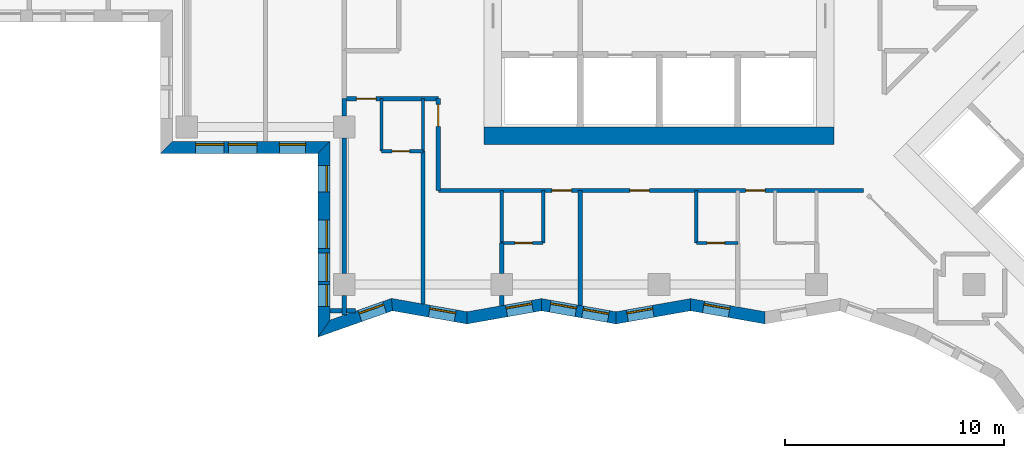
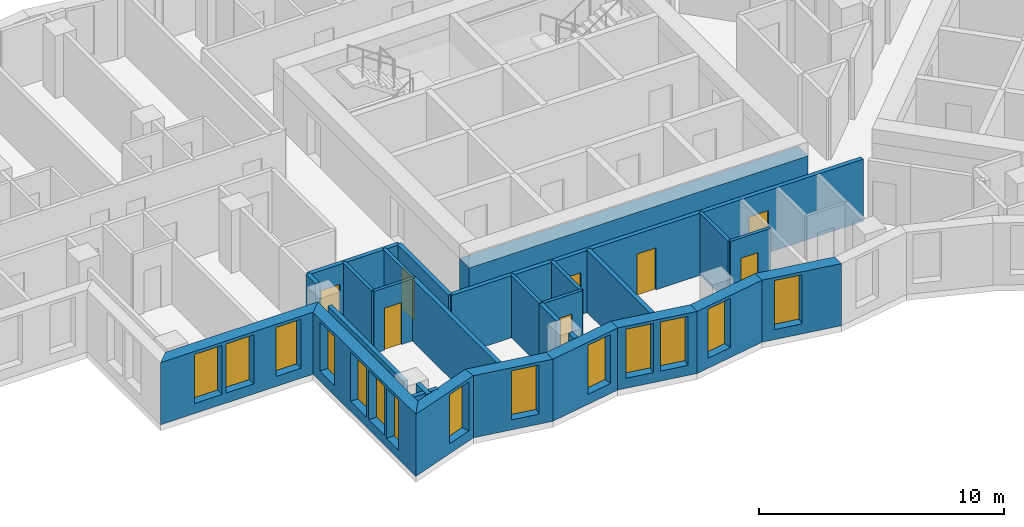
# One storey, part 2 of 13: 28 walls, 14 windows, 8 doors, 22 openings.
"""IFC4 building model written with IfcOpenShell, lengths in metres."""

from ifc_helpers import new_model, si_unit, direction, frame, frame_2d, origin, place, context, subcontext, project, spatial, polyline, rectangle, outline, extrude, material, layer, layer_set, type_object, element, fill, save


model = new_model("IFC4")

# Units and contexts
model_context = context("Model", 3, precision=1e-05, world=origin(), true_north=direction((0.0, 1.0)))
body_context = subcontext(model_context, "Body", "Model", "MODEL_VIEW")
ifc_project = project(units=[si_unit("LENGTHUNIT", "METRE"), si_unit("AREAUNIT", "SQUARE_METRE"), si_unit("VOLUMEUNIT", "CUBIC_METRE"), si_unit("PLANEANGLEUNIT", "RADIAN"), si_unit("MASSUNIT", "GRAM", prefix="KILO")], contexts=[model_context])

# Site, building, storey
site_placement = place(None, origin())
site = spatial("IfcSite", under=ifc_project, at=site_placement, CompositionType="ELEMENT")
building_placement = place(site_placement, origin())
building = spatial("IfcBuilding", under=site, at=building_placement, Name="Windrow Commons", CompositionType="ELEMENT")
storey_placement = place(building_placement, frame((0.0, 0.0, 115.2)))
storey = spatial("IfcBuildingStorey", under=building, at=storey_placement, Name="L31", CompositionType="ELEMENT", Elevation=115.2)

# Wall, openings, windows
ifc_material_1 = material(Name="Brick masonry, red clay brick", Category="masonry")
ifc_layer_1 = layer(ifc_material_1, 0.55)
ifc_layer_set_1 = layer_set([ifc_layer_1], Name="Brick facade wall 550")
wall_type_1 = type_object("IfcWallType", Name="Brick facade wall 550", PredefinedType="SOLIDWALL", material=ifc_layer_set_1)
wall_1_placement = place(storey_placement, frame((42.275, 49.475, 0.0), z_axis=(0.0, 0.0, 1.0), x_axis=(1.0, 0.0, 0.0)))
wall_1 = element("IfcWall", 1, at=wall_1_placement, inside=storey, type_object=wall_type_1, Name="Brick facade wall L31 42", PredefinedType="SOLIDWALL", context=body_context, shape_type="SweptSolid", body=[
    extrude(outline(polyline([(-0.275, -0.275), (6.925, -0.275), (7.475, 0.275), (0.275, 0.275), (-0.275, -0.275)])), origin(), (0.0, 0.0, 1.0), 3.1),
])
opening_1_placement = place(wall_1_placement, frame((1.325, 0.0, 0.5)))
opening_1 = element("IfcOpeningElement", 2, at=opening_1_placement, cuts=wall_1, Name="Opening W1P", PredefinedType="OPENING", context=body_context, shape_type="SweptSolid", body=[
    extrude(rectangle(XDim=1.3, YDim=2.45, at=frame_2d((0.65, 1.225))), frame((0.0, 0.285, 0.0), z_axis=(0.0, -1.0, 0.0), x_axis=(1.0, 0.0, 0.0)), (0.0, 0.0, 1.0), 0.57),
])
opening_2_placement = place(wall_1_placement, frame((2.825, 0.0, 0.5)))
opening_2 = element("IfcOpeningElement", 3, at=opening_2_placement, cuts=wall_1, Name="Opening W1P", PredefinedType="OPENING", context=body_context, shape_type="SweptSolid", body=[
    extrude(rectangle(XDim=1.3, YDim=2.45, at=frame_2d((0.65, 1.225))), frame((0.0, 0.285, 0.0), z_axis=(0.0, -1.0, 0.0), x_axis=(1.0, 0.0, 0.0)), (0.0, 0.0, 1.0), 0.57),
])
opening_3_placement = place(wall_1_placement, frame((5.1625, 0.0, 0.5)))
opening_3 = element("IfcOpeningElement", 4, at=opening_3_placement, cuts=wall_1, Name="Opening W7D", PredefinedType="OPENING", context=body_context, shape_type="SweptSolid", body=[
    extrude(rectangle(XDim=1.2, YDim=2.45, at=frame_2d((0.6, 1.225))), frame((0.0, 0.285, 0.0), z_axis=(0.0, -1.0, 0.0), x_axis=(1.0, 0.0, 0.0)), (0.0, 0.0, 1.0), 0.57),
])
ifc_material_2 = material(Name="Clear float glass in anodised aluminium frame", Category="aluminium")
window_type_1 = type_object("IfcWindowType", Name="Window W1P pair 1300x2450", PartitioningType="SINGLE_PANEL", PredefinedType="WINDOW", material=ifc_material_2)
window_1_placement = place(opening_1_placement, origin())
window_1 = element("IfcWindow", 5, at=window_1_placement, inside=storey, type_object=window_type_1, Name="Window L31 42.1A", OverallHeight=2.45, OverallWidth=1.3, PartitioningType="SINGLE_PANEL", PredefinedType="WINDOW", context=body_context, shape_type="SweptSolid", body=[
    extrude(rectangle(XDim=1.3, YDim=2.45, at=frame_2d((0.65, 1.225))), frame((0.0, 0.155, 0.0), z_axis=(0.0, -1.0, 0.0), x_axis=(1.0, 0.0, 0.0)), (0.0, 0.0, 1.0), 0.06),
])
fill(opening_1, window_1)
window_2_placement = place(opening_2_placement, origin())
window_2 = element("IfcWindow", 6, at=window_2_placement, inside=storey, type_object=window_type_1, Name="Window L31 42.1B", OverallHeight=2.45, OverallWidth=1.3, PartitioningType="SINGLE_PANEL", PredefinedType="WINDOW", context=body_context, shape_type="SweptSolid", body=[
    extrude(rectangle(XDim=1.3, YDim=2.45, at=frame_2d((0.65, 1.225))), frame((0.0, 0.155, 0.0), z_axis=(0.0, -1.0, 0.0), x_axis=(1.0, 0.0, 0.0)), (0.0, 0.0, 1.0), 0.06),
])
fill(opening_2, window_2)
ifc_material_3 = material(Name="Clear float glass in anodised aluminium frame", Category="aluminium")
window_type_2 = type_object("IfcWindowType", Name="Window W7 notch 1200x2450", PartitioningType="SINGLE_PANEL", PredefinedType="WINDOW", material=ifc_material_3)
window_3_placement = place(opening_3_placement, origin())
window_3 = element("IfcWindow", 7, at=window_3_placement, inside=storey, type_object=window_type_2, Name="Window L31 42.2", OverallHeight=2.45, OverallWidth=1.2, PartitioningType="SINGLE_PANEL", PredefinedType="WINDOW", context=body_context, shape_type="SweptSolid", body=[
    extrude(rectangle(XDim=1.2, YDim=2.45, at=frame_2d((0.6, 1.225))), frame((0.0, 0.155, 0.0), z_axis=(0.0, -1.0, 0.0), x_axis=(1.0, 0.0, 0.0)), (0.0, 0.0, 1.0), 0.06),
])
fill(opening_3, window_3)

wall_2_placement = place(storey_placement, frame((49.475, 49.475, 0.0), z_axis=(0.0, 0.0, 1.0), x_axis=(0.0, -1.0, 0.0)))
wall_2 = element("IfcWall", 8, at=wall_2_placement, inside=storey, type_object=wall_type_1, Name="Brick facade wall L31 43", PredefinedType="SOLIDWALL", context=body_context, shape_type="SweptSolid", body=[
    extrude(outline(polyline([(0.275, -0.275), (8.678, -0.275), (7.9005, 0.275), (-0.275, 0.275), (0.275, -0.275)])), origin(), (0.0, 0.0, 1.0), 3.1),
])
opening_4_placement = place(wall_2_placement, frame((3.325, 0.0, 0.5)))
opening_4 = element("IfcOpeningElement", 9, at=opening_4_placement, cuts=wall_2, Name="Opening W1P", PredefinedType="OPENING", context=body_context, shape_type="SweptSolid", body=[
    extrude(rectangle(XDim=1.3, YDim=2.45, at=frame_2d((0.65, 1.225))), frame((0.0, 0.285, 0.0), z_axis=(0.0, -1.0, 0.0), x_axis=(1.0, 0.0, 0.0)), (0.0, 0.0, 1.0), 0.57),
])
opening_5_placement = place(wall_2_placement, frame((4.825, 0.0, 0.5)))
opening_5 = element("IfcOpeningElement", 10, at=opening_5_placement, cuts=wall_2, Name="Opening W1P", PredefinedType="OPENING", context=body_context, shape_type="SweptSolid", body=[
    extrude(rectangle(XDim=1.3, YDim=2.45, at=frame_2d((0.65, 1.225))), frame((0.0, 0.285, 0.0), z_axis=(0.0, -1.0, 0.0), x_axis=(1.0, 0.0, 0.0)), (0.0, 0.0, 1.0), 0.57),
])
opening_6_placement = place(wall_2_placement, frame((0.8375, 0.0, 0.5)))
opening_6 = element("IfcOpeningElement", 11, at=opening_6_placement, cuts=wall_2, Name="Opening W7D", PredefinedType="OPENING", context=body_context, shape_type="SweptSolid", body=[
    extrude(rectangle(XDim=1.2, YDim=2.45, at=frame_2d((0.6, 1.225))), frame((0.0, 0.285, 0.0), z_axis=(0.0, -1.0, 0.0), x_axis=(1.0, 0.0, 0.0)), (0.0, 0.0, 1.0), 0.57),
])
opening_7_placement = place(wall_2_placement, frame((6.275, 0.0, 0.45)))
opening_7 = element("IfcOpeningElement", 12, at=opening_7_placement, cuts=wall_2, Name="Opening W1S", PredefinedType="OPENING", context=body_context, shape_type="SweptSolid", body=[
    extrude(rectangle(XDim=1.0, YDim=2.5, at=frame_2d((0.5, 1.25))), frame((0.0, 0.285, 0.0), z_axis=(0.0, -1.0, 0.0), x_axis=(1.0, 0.0, 0.0)), (0.0, 0.0, 1.0), 0.57),
])
window_4_placement = place(opening_4_placement, origin())
window_4 = element("IfcWindow", 13, at=window_4_placement, inside=storey, type_object=window_type_1, Name="Window L31 43.1A", OverallHeight=2.45, OverallWidth=1.3, PartitioningType="SINGLE_PANEL", PredefinedType="WINDOW", context=body_context, shape_type="SweptSolid", body=[
    extrude(rectangle(XDim=1.3, YDim=2.45, at=frame_2d((0.65, 1.225))), frame((0.0, 0.155, 0.0), z_axis=(0.0, -1.0, 0.0), x_axis=(1.0, 0.0, 0.0)), (0.0, 0.0, 1.0), 0.06),
])
fill(opening_4, window_4)
window_5_placement = place(opening_5_placement, origin())
window_5 = element("IfcWindow", 14, at=window_5_placement, inside=storey, type_object=window_type_1, Name="Window L31 43.1B", OverallHeight=2.45, OverallWidth=1.3, PartitioningType="SINGLE_PANEL", PredefinedType="WINDOW", context=body_context, shape_type="SweptSolid", body=[
    extrude(rectangle(XDim=1.3, YDim=2.45, at=frame_2d((0.65, 1.225))), frame((0.0, 0.155, 0.0), z_axis=(0.0, -1.0, 0.0), x_axis=(1.0, 0.0, 0.0)), (0.0, 0.0, 1.0), 0.06),
])
fill(opening_5, window_5)
ifc_material_4 = material(Name="Clear float glass in anodised aluminium frame", Category="aluminium")
window_type_3 = type_object("IfcWindowType", Name="Window W1S slit 1000x2500", PartitioningType="SINGLE_PANEL", PredefinedType="WINDOW", material=ifc_material_4)
window_6_placement = place(opening_7_placement, origin())
window_6 = element("IfcWindow", 15, at=window_6_placement, inside=storey, type_object=window_type_3, Name="Window L31 43.3A", OverallHeight=2.5, OverallWidth=1.0, PartitioningType="SINGLE_PANEL", PredefinedType="WINDOW", context=body_context, shape_type="SweptSolid", body=[
    extrude(rectangle(XDim=1.0, YDim=2.5, at=frame_2d((0.5, 1.25))), frame((0.0, 0.155, 0.0), z_axis=(0.0, -1.0, 0.0), x_axis=(1.0, 0.0, 0.0)), (0.0, 0.0, 1.0), 0.06),
])
fill(opening_7, window_6)
window_7_placement = place(opening_6_placement, origin())
window_7 = element("IfcWindow", 16, at=window_7_placement, inside=storey, type_object=window_type_2, Name="Window L31 43.2", OverallHeight=2.45, OverallWidth=1.2, PartitioningType="SINGLE_PANEL", PredefinedType="WINDOW", context=body_context, shape_type="SweptSolid", body=[
    extrude(rectangle(XDim=1.2, YDim=2.45, at=frame_2d((0.6, 1.225))), frame((0.0, 0.155, 0.0), z_axis=(0.0, -1.0, 0.0), x_axis=(1.0, 0.0, 0.0)), (0.0, 0.0, 1.0), 0.06),
])
fill(opening_6, window_7)

# Wall, opening, window
wall_3_placement = place(storey_placement, frame((49.475, 41.1857, 0.0), z_axis=(0.0, 0.0, 1.0), x_axis=(0.9429483298, 0.3329391044, 0.0)))
wall_3 = element("IfcWall", 17, at=wall_3_placement, inside=storey, type_object=wall_type_1, Name="Brick facade wall L31 44", PredefinedType="SOLIDWALL", context=body_context, shape_type="SweptSolid", body=[
    extrude(outline(polyline([(-0.3887, -0.275), (3.2246, -0.275), (3.3693, 0.275), (0.3887, 0.275), (-0.3887, -0.275)])), origin(), (0.0, 0.0, 1.0), 3.1),
])
opening_8_placement = place(wall_3_placement, frame((1.739, 0.0, 0.5)))
opening_8 = element("IfcOpeningElement", 18, at=opening_8_placement, cuts=wall_3, Name="Opening W7D", PredefinedType="OPENING", context=body_context, shape_type="SweptSolid", body=[
    extrude(rectangle(XDim=1.2, YDim=2.45, at=frame_2d((0.6, 1.225))), frame((0.0, 0.285, 0.0), z_axis=(0.0, -1.0, 0.0), x_axis=(1.0, 0.0, 0.0)), (0.0, 0.0, 1.0), 0.57),
])
window_8_placement = place(opening_8_placement, origin())
window_8 = element("IfcWindow", 19, at=window_8_placement, inside=storey, type_object=window_type_2, Name="Window L31 44.1", OverallHeight=2.45, OverallWidth=1.2, PartitioningType="SINGLE_PANEL", PredefinedType="WINDOW", context=body_context, shape_type="SweptSolid", body=[
    extrude(rectangle(XDim=1.2, YDim=2.45, at=frame_2d((0.6, 1.225))), frame((0.0, 0.155, 0.0), z_axis=(0.0, -1.0, 0.0), x_axis=(1.0, 0.0, 0.0)), (0.0, 0.0, 1.0), 0.06),
])
fill(opening_8, window_8)

wall_4_placement = place(storey_placement, frame((52.5839, 42.2834, 0.0), z_axis=(0.0, 0.0, 1.0), x_axis=(0.9846990638, -0.1742634606, 0.0)))
wall_4 = element("IfcWall", 20, at=wall_4_placement, inside=storey, type_object=wall_type_1, Name="Brick facade wall L31 45", PredefinedType="SOLIDWALL", context=body_context, shape_type="SweptSolid", body=[
    extrude(outline(polyline([(0.0724, -0.275), (3.5325, -0.275), (3.4352, 0.275), (-0.0724, 0.275), (0.0724, -0.275)])), origin(), (0.0, 0.0, 1.0), 3.1),
])
opening_9_placement = place(wall_4_placement, frame((1.7367, 0.0, 0.5)))
opening_9 = element("IfcOpeningElement", 21, at=opening_9_placement, cuts=wall_4, Name="Opening W7D", PredefinedType="OPENING", context=body_context, shape_type="SweptSolid", body=[
    extrude(rectangle(XDim=1.2, YDim=2.45, at=frame_2d((0.6, 1.225))), frame((0.0, 0.285, 0.0), z_axis=(0.0, -1.0, 0.0), x_axis=(1.0, 0.0, 0.0)), (0.0, 0.0, 1.0), 0.57),
])
window_9_placement = place(opening_9_placement, origin())
window_9 = element("IfcWindow", 22, at=window_9_placement, inside=storey, type_object=window_type_2, Name="Window L31 45.1", OverallHeight=2.45, OverallWidth=1.2, PartitioningType="SINGLE_PANEL", PredefinedType="WINDOW", context=body_context, shape_type="SweptSolid", body=[
    extrude(rectangle(XDim=1.2, YDim=2.45, at=frame_2d((0.6, 1.225))), frame((0.0, 0.155, 0.0), z_axis=(0.0, -1.0, 0.0), x_axis=(1.0, 0.0, 0.0)), (0.0, 0.0, 1.0), 0.06),
])
fill(opening_9, window_9)

wall_5_placement = place(storey_placement, frame((56.0144, 41.6763, 0.0), z_axis=(0.0, 0.0, 1.0), x_axis=(0.9846979018, 0.1742700266, 0.0)))
wall_5 = element("IfcWall", 23, at=wall_5_placement, inside=storey, type_object=wall_type_1, Name="Brick facade wall L31 46", PredefinedType="SOLIDWALL", context=body_context, shape_type="SweptSolid", body=[
    extrude(outline(polyline([(-0.0487, -0.275), (3.4115, -0.275), (3.5088, 0.275), (0.0487, 0.275), (-0.0487, -0.275)])), origin(), (0.0, 0.0, 1.0), 3.1),
])
opening_10_placement = place(wall_5_placement, frame((1.8352, 0.0, 0.5)))
opening_10 = element("IfcOpeningElement", 24, at=opening_10_placement, cuts=wall_5, Name="Opening W7D", PredefinedType="OPENING", context=body_context, shape_type="SweptSolid", body=[
    extrude(rectangle(XDim=1.2, YDim=2.45, at=frame_2d((0.6, 1.225))), frame((0.0, 0.285, 0.0), z_axis=(0.0, -1.0, 0.0), x_axis=(1.0, 0.0, 0.0)), (0.0, 0.0, 1.0), 0.57),
])
window_10_placement = place(opening_10_placement, origin())
window_10 = element("IfcWindow", 25, at=window_10_placement, inside=storey, type_object=window_type_2, Name="Window L31 46.1", OverallHeight=2.45, OverallWidth=1.2, PartitioningType="SINGLE_PANEL", PredefinedType="WINDOW", context=body_context, shape_type="SweptSolid", body=[
    extrude(rectangle(XDim=1.2, YDim=2.45, at=frame_2d((0.6, 1.225))), frame((0.0, 0.155, 0.0), z_axis=(0.0, -1.0, 0.0), x_axis=(1.0, 0.0, 0.0)), (0.0, 0.0, 1.0), 0.06),
])
fill(opening_10, window_10)

# Wall, openings, windows
wall_6_placement = place(storey_placement, frame((59.4216, 42.2793, 0.0), z_axis=(0.0, 0.0, 1.0), x_axis=(0.9846979018, -0.1742700266, 0.0)))
wall_6 = element("IfcWall", 26, at=wall_6_placement, inside=storey, type_object=wall_type_1, Name="Brick facade wall L31 47", PredefinedType="SOLIDWALL", context=body_context, shape_type="SweptSolid", body=[
    extrude(outline(polyline([(0.0487, -0.275), (3.5088, -0.275), (3.4115, 0.275), (-0.0487, 0.275), (0.0487, -0.275)])), origin(), (0.0, 0.0, 1.0), 3.1),
])
opening_11_placement = place(wall_6_placement, frame((0.403, 0.0, 0.5)))
opening_11 = element("IfcOpeningElement", 27, at=opening_11_placement, cuts=wall_6, Name="Opening W7D", PredefinedType="OPENING", context=body_context, shape_type="SweptSolid", body=[
    extrude(rectangle(XDim=1.2, YDim=2.45, at=frame_2d((0.6, 1.225))), frame((0.0, 0.285, 0.0), z_axis=(0.0, -1.0, 0.0), x_axis=(1.0, 0.0, 0.0)), (0.0, 0.0, 1.0), 0.57),
])
opening_12_placement = place(wall_6_placement, frame((1.9088, 0.0, 0.5)))
opening_12 = element("IfcOpeningElement", 28, at=opening_12_placement, cuts=wall_6, Name="Opening W7D", PredefinedType="OPENING", context=body_context, shape_type="SweptSolid", body=[
    extrude(rectangle(XDim=1.2, YDim=2.45, at=frame_2d((0.6, 1.225))), frame((0.0, 0.285, 0.0), z_axis=(0.0, -1.0, 0.0), x_axis=(1.0, 0.0, 0.0)), (0.0, 0.0, 1.0), 0.57),
])
window_11_placement = place(opening_11_placement, origin())
window_11 = element("IfcWindow", 29, at=window_11_placement, inside=storey, type_object=window_type_2, Name="Window L31 47.1", OverallHeight=2.45, OverallWidth=1.2, PartitioningType="SINGLE_PANEL", PredefinedType="WINDOW", context=body_context, shape_type="SweptSolid", body=[
    extrude(rectangle(XDim=1.2, YDim=2.45, at=frame_2d((0.6, 1.225))), frame((0.0, 0.155, 0.0), z_axis=(0.0, -1.0, 0.0), x_axis=(1.0, 0.0, 0.0)), (0.0, 0.0, 1.0), 0.06),
])
fill(opening_11, window_11)
window_12_placement = place(opening_12_placement, origin())
window_12 = element("IfcWindow", 30, at=window_12_placement, inside=storey, type_object=window_type_2, Name="Window L31 47.2", OverallHeight=2.45, OverallWidth=1.2, PartitioningType="SINGLE_PANEL", PredefinedType="WINDOW", context=body_context, shape_type="SweptSolid", body=[
    extrude(rectangle(XDim=1.2, YDim=2.45, at=frame_2d((0.6, 1.225))), frame((0.0, 0.155, 0.0), z_axis=(0.0, -1.0, 0.0), x_axis=(1.0, 0.0, 0.0)), (0.0, 0.0, 1.0), 0.06),
])
fill(opening_12, window_12)

# Wall, opening, window
wall_7_placement = place(storey_placement, frame((62.8288, 41.6763, 0.0), z_axis=(0.0, 0.0, 1.0), x_axis=(0.9846979018, 0.1742700266, 0.0)))
wall_7 = element("IfcWall", 31, at=wall_7_placement, inside=storey, type_object=wall_type_1, Name="Brick facade wall L31 48", PredefinedType="SOLIDWALL", context=body_context, shape_type="SweptSolid", body=[
    extrude(outline(polyline([(-0.0487, -0.275), (3.4115, -0.275), (3.5088, 0.275), (0.0487, 0.275), (-0.0487, -0.275)])), origin(), (0.0, 0.0, 1.0), 3.1),
])
opening_13_placement = place(wall_7_placement, frame((0.5252, 0.0, 0.5)))
opening_13 = element("IfcOpeningElement", 32, at=opening_13_placement, cuts=wall_7, Name="Opening W7D", PredefinedType="OPENING", context=body_context, shape_type="SweptSolid", body=[
    extrude(rectangle(XDim=1.2, YDim=2.45, at=frame_2d((0.6, 1.225))), frame((0.0, 0.285, 0.0), z_axis=(0.0, -1.0, 0.0), x_axis=(1.0, 0.0, 0.0)), (0.0, 0.0, 1.0), 0.57),
])
window_13_placement = place(opening_13_placement, origin())
window_13 = element("IfcWindow", 33, at=window_13_placement, inside=storey, type_object=window_type_2, Name="Window L31 48.1", OverallHeight=2.45, OverallWidth=1.2, PartitioningType="SINGLE_PANEL", PredefinedType="WINDOW", context=body_context, shape_type="SweptSolid", body=[
    extrude(rectangle(XDim=1.2, YDim=2.45, at=frame_2d((0.6, 1.225))), frame((0.0, 0.155, 0.0), z_axis=(0.0, -1.0, 0.0), x_axis=(1.0, 0.0, 0.0)), (0.0, 0.0, 1.0), 0.06),
])
fill(opening_13, window_13)

wall_8_placement = place(storey_placement, frame((66.236, 42.2793, 0.0), z_axis=(0.0, 0.0, 1.0), x_axis=(0.9846979018, -0.1742700266, 0.0)))
wall_8 = element("IfcWall", 34, at=wall_8_placement, inside=storey, type_object=wall_type_1, Name="Brick facade wall L31 49", PredefinedType="SOLIDWALL", context=body_context, shape_type="SweptSolid", body=[
    extrude(outline(polyline([(0.0487, -0.275), (3.5088, -0.275), (3.4115, 0.275), (-0.0487, 0.275), (0.0487, -0.275)])), origin(), (0.0, 0.0, 1.0), 3.1),
])
opening_14_placement = place(wall_8_placement, frame((0.5988, 0.0, 0.5)))
opening_14 = element("IfcOpeningElement", 35, at=opening_14_placement, cuts=wall_8, Name="Opening W7D", PredefinedType="OPENING", context=body_context, shape_type="SweptSolid", body=[
    extrude(rectangle(XDim=1.2, YDim=2.45, at=frame_2d((0.6, 1.225))), frame((0.0, 0.285, 0.0), z_axis=(0.0, -1.0, 0.0), x_axis=(1.0, 0.0, 0.0)), (0.0, 0.0, 1.0), 0.57),
])
window_14_placement = place(opening_14_placement, origin())
window_14 = element("IfcWindow", 36, at=window_14_placement, inside=storey, type_object=window_type_2, Name="Window L31 49.1", OverallHeight=2.45, OverallWidth=1.2, PartitioningType="SINGLE_PANEL", PredefinedType="WINDOW", context=body_context, shape_type="SweptSolid", body=[
    extrude(rectangle(XDim=1.2, YDim=2.45, at=frame_2d((0.6, 1.225))), frame((0.0, 0.155, 0.0), z_axis=(0.0, -1.0, 0.0), x_axis=(1.0, 0.0, 0.0)), (0.0, 0.0, 1.0), 0.06),
])
fill(opening_14, window_14)

# Wall, openings, doors
ifc_material_5 = material(Name="Blockwork partition", Category="masonry")
ifc_layer_2 = layer(ifc_material_5, 0.2)
ifc_layer_set_2 = layer_set([ifc_layer_2], Name="IW-CORRIDOR-200")
wall_type_2 = type_object("IfcWallType", Name="IW-CORRIDOR-200", PredefinedType="PARTITIONING", material=ifc_layer_set_2)
wall_9_placement = place(storey_placement, frame((54.7, 47.5, 0.0), z_axis=(0.0, 0.0, 1.0), x_axis=(1.0, 0.0, 0.0)))
wall_9 = element("IfcWall", 37, at=wall_9_placement, inside=storey, type_object=wall_type_2, Name="W-L31-W003", PredefinedType="PARTITIONING", context=body_context, shape_type="SweptSolid", body=[
    extrude(rectangle(XDim=19.442, YDim=0.2, at=frame_2d((9.721, 0.0))), origin(), (0.0, 0.0, 1.0), 3.1),
])
opening_15_placement = place(wall_9_placement, frame((5.2, 0.0, 0.0)))
opening_15 = element("IfcOpeningElement", 38, at=opening_15_placement, cuts=wall_9, Name="Opening D109S", PredefinedType="OPENING", context=body_context, shape_type="SweptSolid", body=[
    extrude(rectangle(XDim=0.9, YDim=2.1, at=frame_2d((0.45, 1.05))), frame((0.0, 0.11, 0.0), z_axis=(0.0, -1.0, 0.0), x_axis=(1.0, 0.0, 0.0)), (0.0, 0.0, 1.0), 0.22),
])
opening_16_placement = place(wall_9_placement, frame((8.7566, 0.0, 0.0)))
opening_16 = element("IfcOpeningElement", 39, at=opening_16_placement, cuts=wall_9, Name="Opening D109F", PredefinedType="OPENING", context=body_context, shape_type="SweptSolid", body=[
    extrude(rectangle(XDim=0.9, YDim=2.1, at=frame_2d((0.45, 1.05))), frame((0.0, 0.11, 0.0), z_axis=(0.0, -1.0, 0.0), x_axis=(1.0, 0.0, 0.0)), (0.0, 0.0, 1.0), 0.22),
])
opening_17_placement = place(wall_9_placement, frame((14.05, 0.0, 0.0)))
opening_17 = element("IfcOpeningElement", 40, at=opening_17_placement, cuts=wall_9, Name="Opening D109S", PredefinedType="OPENING", context=body_context, shape_type="SweptSolid", body=[
    extrude(rectangle(XDim=0.9, YDim=2.1, at=frame_2d((0.45, 1.05))), frame((0.0, 0.11, 0.0), z_axis=(0.0, -1.0, 0.0), x_axis=(1.0, 0.0, 0.0)), (0.0, 0.0, 1.0), 0.22),
])
ifc_material_6 = material(Name="Timber door leaf", Category="wood")
door_type_1 = type_object("IfcDoorType", Name="DT-BEDROOM-900", OperationType="SINGLE_SWING_LEFT", PredefinedType="DOOR", material=ifc_material_6)
door_1_placement = place(opening_15_placement, origin())
door_1 = element("IfcDoor", 41, at=door_1_placement, inside=storey, type_object=door_type_1, Name="D-L31-D012", OperationType="SINGLE_SWING_LEFT", OverallHeight=2.1, OverallWidth=0.9, PredefinedType="DOOR", context=body_context, shape_type="SweptSolid", body=[
    extrude(rectangle(XDim=0.9, YDim=2.1, at=frame_2d((0.45, 1.05))), frame((0.0, 0.025, 0.0), z_axis=(0.0, -1.0, 0.0), x_axis=(1.0, 0.0, 0.0)), (0.0, 0.0, 1.0), 0.05),
])
fill(opening_15, door_1)
door_2_placement = place(opening_16_placement, origin())
door_2 = element("IfcDoor", 42, at=door_2_placement, inside=storey, type_object=door_type_1, Name="D-L31-D014", OperationType="SINGLE_SWING_RIGHT", OverallHeight=2.1, OverallWidth=0.9, PredefinedType="DOOR", context=body_context, shape_type="SweptSolid", body=[
    extrude(rectangle(XDim=0.9, YDim=2.1, at=frame_2d((0.45, 1.05))), frame((0.0, 0.025, 0.0), z_axis=(0.0, -1.0, 0.0), x_axis=(1.0, 0.0, 0.0)), (0.0, 0.0, 1.0), 0.05),
])
fill(opening_16, door_2)
door_3_placement = place(opening_17_placement, origin())
door_3 = element("IfcDoor", 43, at=door_3_placement, inside=storey, type_object=door_type_1, Name="D-L31-D016", OperationType="SINGLE_SWING_RIGHT", OverallHeight=2.1, OverallWidth=0.9, PredefinedType="DOOR", context=body_context, shape_type="SweptSolid", body=[
    extrude(rectangle(XDim=0.9, YDim=2.1, at=frame_2d((0.45, 1.05))), frame((0.0, 0.025, 0.0), z_axis=(0.0, -1.0, 0.0), x_axis=(1.0, 0.0, 0.0)), (0.0, 0.0, 1.0), 0.05),
])
fill(opening_17, door_3)

# Wall, opening, door
wall_10_placement = place(storey_placement, frame((50.4, 51.7, 0.0), z_axis=(0.0, 0.0, 1.0), x_axis=(1.0, 0.0, 0.0)))
wall_10 = element("IfcWall", 44, at=wall_10_placement, inside=storey, type_object=wall_type_2, Name="W-L31-W048", PredefinedType="PARTITIONING", context=body_context, shape_type="SweptSolid", body=[
    extrude(rectangle(XDim=4.3, YDim=0.2, at=frame_2d((2.15, 0.0))), origin(), (0.0, 0.0, 1.0), 3.1),
])
opening_18_placement = place(wall_10_placement, frame((0.5517, 0.0, 0.0)))
opening_18 = element("IfcOpeningElement", 45, at=opening_18_placement, cuts=wall_10, Name="Opening D109S", PredefinedType="OPENING", context=body_context, shape_type="SweptSolid", body=[
    extrude(rectangle(XDim=0.9, YDim=2.1, at=frame_2d((0.45, 1.05))), frame((0.0, 0.11, 0.0), z_axis=(0.0, -1.0, 0.0), x_axis=(1.0, 0.0, 0.0)), (0.0, 0.0, 1.0), 0.22),
])
door_4_placement = place(opening_18_placement, origin())
door_4 = element("IfcDoor", 46, at=door_4_placement, inside=storey, type_object=door_type_1, Name="D-L31-D007", OperationType="SINGLE_SWING_LEFT", OverallHeight=2.1, OverallWidth=0.9, PredefinedType="DOOR", context=body_context, shape_type="SweptSolid", body=[
    extrude(rectangle(XDim=0.9, YDim=2.1, at=frame_2d((0.45, 1.05))), frame((0.0, 0.025, 0.0), z_axis=(0.0, -1.0, 0.0), x_axis=(1.0, 0.0, 0.0)), (0.0, 0.0, 1.0), 0.05),
])
fill(opening_18, door_4)

wall_11_placement = place(storey_placement, frame((54.7, 47.5, 0.0), z_axis=(0.0, 0.0, 1.0), x_axis=(0.0, 1.0, 0.0)))
wall_11 = element("IfcWall", 47, at=wall_11_placement, inside=storey, type_object=wall_type_2, Name="W-L31-W050", PredefinedType="PARTITIONING", context=body_context, shape_type="SweptSolid", body=[
    extrude(rectangle(XDim=4.2, YDim=0.2, at=frame_2d((2.1, 0.0))), origin(), (0.0, 0.0, 1.0), 3.1),
])
opening_19_placement = place(wall_11_placement, frame((2.9369, 0.0, 0.0)))
opening_19 = element("IfcOpeningElement", 48, at=opening_19_placement, cuts=wall_11, Name="Opening D310F", PredefinedType="OPENING", context=body_context, shape_type="SweptSolid", body=[
    extrude(rectangle(XDim=1.0, YDim=2.1, at=frame_2d((0.5, 1.05))), frame((0.0, 0.11, 0.0), z_axis=(0.0, -1.0, 0.0), x_axis=(1.0, 0.0, 0.0)), (0.0, 0.0, 1.0), 0.22),
])
ifc_material_7 = material(Name="Timber door leaf", Category="wood")
door_type_2 = type_object("IfcDoorType", Name="DT-AMENITY-1000", OperationType="SINGLE_SWING_LEFT", PredefinedType="DOOR", material=ifc_material_7)
door_5_placement = place(opening_19_placement, origin())
door_5 = element("IfcDoor", 49, at=door_5_placement, inside=storey, type_object=door_type_2, Name="D-L31-D009", OperationType="SINGLE_SWING_RIGHT", OverallHeight=2.1, OverallWidth=1.0, PredefinedType="DOOR", context=body_context, shape_type="SweptSolid", body=[
    extrude(rectangle(XDim=1.0, YDim=2.1, at=frame_2d((0.5, 1.05))), frame((0.0, 0.025, 0.0), z_axis=(0.0, -1.0, 0.0), x_axis=(1.0, 0.0, 0.0)), (0.0, 0.0, 1.0), 0.05),
])
fill(opening_19, door_5)

# Walls
ifc_material_8 = material(Name="Blockwork partition", Category="masonry")
ifc_layer_3 = layer(ifc_material_8, 0.15)
ifc_layer_set_3 = layer_set([ifc_layer_3], Name="IW-ENSUITE-150")
wall_type_3 = type_object("IfcWallType", Name="IW-ENSUITE-150", PredefinedType="PARTITIONING", material=ifc_layer_set_3)
for number, where, z_axis, x_axis, name in (
    (50, (52.1, 49.3, 0.0), (0.0, 0.0, 1.0), (0.0, 1.0, 0.0), "W-L31-W086"),
    (51, (54.0, 49.3, 0.0), (0.0, 0.0, 1.0), (0.0, 1.0, 0.0), "W-L31-W087"),
    (52, (59.5, 45.1, 0.0), (0.0, 0.0, 1.0), (0.0, 1.0, 0.0), "W-L31-W099"),
    (53, (57.6, 45.1, 0.0), (0.0, 0.0, 1.0), (0.0, 1.0, 0.0), "W-L31-W100"),
    (54, (66.5, 45.1, 0.0), (0.0, 0.0, 1.0), (0.0, 1.0, 0.0), "W-L31-W101"),
):
    element("IfcWall", number, at=place(storey_placement, frame(where, z_axis=z_axis, x_axis=x_axis)), inside=storey, type_object=wall_type_3, Name=name, PredefinedType="PARTITIONING", context=body_context, shape_type="SweptSolid", body=[
        extrude(rectangle(XDim=2.4, YDim=0.15, at=frame_2d((1.2, 0.0))), origin(), (0.0, 0.0, 1.0), 3.1),
    ])

# Wall, opening, door
wall_12_placement = place(storey_placement, frame((66.5, 45.1, 0.0), z_axis=(0.0, 0.0, 1.0), x_axis=(1.0, 0.0, 0.0)))
wall_12 = element("IfcWall", 55, at=wall_12_placement, inside=storey, type_object=wall_type_3, Name="W-L31-W140", PredefinedType="PARTITIONING", context=body_context, shape_type="SweptSolid", body=[
    extrude(rectangle(XDim=1.9, YDim=0.15, at=frame_2d((0.95, 0.0))), origin(), (0.0, 0.0, 1.0), 3.1),
])
opening_20_placement = place(wall_12_placement, frame((0.4931, 0.0, 0.0)))
opening_20 = element("IfcOpeningElement", 56, at=opening_20_placement, cuts=wall_12, Name="Opening D208N", PredefinedType="OPENING", context=body_context, shape_type="SweptSolid", body=[
    extrude(rectangle(XDim=0.8, YDim=2.1, at=frame_2d((0.4, 1.05))), frame((0.0, 0.085, 0.0), z_axis=(0.0, -1.0, 0.0), x_axis=(1.0, 0.0, 0.0)), (0.0, 0.0, 1.0), 0.17),
])
ifc_material_9 = material(Name="Timber door leaf", Category="wood")
door_type_3 = type_object("IfcDoorType", Name="DT-ENSUITE-800", OperationType="SINGLE_SWING_LEFT", PredefinedType="DOOR", material=ifc_material_9)
door_6_placement = place(opening_20_placement, origin())
door_6 = element("IfcDoor", 57, at=door_6_placement, inside=storey, type_object=door_type_3, Name="D-L31-D015", OperationType="SINGLE_SWING_RIGHT", OverallHeight=2.1, OverallWidth=0.8, PredefinedType="DOOR", context=body_context, shape_type="SweptSolid", body=[
    extrude(rectangle(XDim=0.8, YDim=2.1, at=frame_2d((0.4, 1.05))), frame((0.0, 0.025, 0.0), z_axis=(0.0, -1.0, 0.0), x_axis=(1.0, 0.0, 0.0)), (0.0, 0.0, 1.0), 0.05),
])
fill(opening_20, door_6)

wall_13_placement = place(storey_placement, frame((52.1, 49.3, 0.0), z_axis=(0.0, 0.0, 1.0), x_axis=(1.0, 0.0, 0.0)))
wall_13 = element("IfcWall", 58, at=wall_13_placement, inside=storey, type_object=wall_type_3, Name="W-L31-W147", PredefinedType="PARTITIONING", context=body_context, shape_type="SweptSolid", body=[
    extrude(rectangle(XDim=1.9, YDim=0.15, at=frame_2d((0.95, 0.0))), origin(), (0.0, 0.0, 1.0), 3.1),
])
opening_21_placement = place(wall_13_placement, frame((0.4931, 0.0, 0.0)))
opening_21 = element("IfcOpeningElement", 59, at=opening_21_placement, cuts=wall_13, Name="Opening D208N", PredefinedType="OPENING", context=body_context, shape_type="SweptSolid", body=[
    extrude(rectangle(XDim=0.8, YDim=2.1, at=frame_2d((0.4, 1.05))), frame((0.0, 0.085, 0.0), z_axis=(0.0, -1.0, 0.0), x_axis=(1.0, 0.0, 0.0)), (0.0, 0.0, 1.0), 0.17),
])
door_7_placement = place(opening_21_placement, origin())
door_7 = element("IfcDoor", 60, at=door_7_placement, inside=storey, type_object=door_type_3, Name="D-L31-D008", OperationType="SINGLE_SWING_RIGHT", OverallHeight=2.1, OverallWidth=0.8, PredefinedType="DOOR", context=body_context, shape_type="SweptSolid", body=[
    extrude(rectangle(XDim=0.8, YDim=2.1, at=frame_2d((0.4, 1.05))), frame((0.0, 0.025, 0.0), z_axis=(0.0, -1.0, 0.0), x_axis=(1.0, 0.0, 0.0)), (0.0, 0.0, 1.0), 0.05),
])
fill(opening_21, door_7)

wall_14_placement = place(storey_placement, frame((57.6, 45.1, 0.0), z_axis=(0.0, 0.0, 1.0), x_axis=(1.0, 0.0, 0.0)))
wall_14 = element("IfcWall", 61, at=wall_14_placement, inside=storey, type_object=wall_type_3, Name="W-L31-W148", PredefinedType="PARTITIONING", context=body_context, shape_type="SweptSolid", body=[
    extrude(rectangle(XDim=1.9, YDim=0.15, at=frame_2d((0.95, 0.0))), origin(), (0.0, 0.0, 1.0), 3.1),
])
opening_22_placement = place(wall_14_placement, frame((0.6069, 0.0, 0.0)))
opening_22 = element("IfcOpeningElement", 62, at=opening_22_placement, cuts=wall_14, Name="Opening D208N", PredefinedType="OPENING", context=body_context, shape_type="SweptSolid", body=[
    extrude(rectangle(XDim=0.8, YDim=2.1, at=frame_2d((0.4, 1.05))), frame((0.0, 0.085, 0.0), z_axis=(0.0, -1.0, 0.0), x_axis=(1.0, 0.0, 0.0)), (0.0, 0.0, 1.0), 0.17),
])
door_8_placement = place(opening_22_placement, origin())
door_8 = element("IfcDoor", 63, at=door_8_placement, inside=storey, type_object=door_type_3, Name="D-L31-D013", OperationType="SINGLE_SWING_RIGHT", OverallHeight=2.1, OverallWidth=0.8, PredefinedType="DOOR", context=body_context, shape_type="SweptSolid", body=[
    extrude(rectangle(XDim=0.8, YDim=2.1, at=frame_2d((0.4, 1.05))), frame((0.0, 0.025, 0.0), z_axis=(0.0, -1.0, 0.0), x_axis=(1.0, 0.0, 0.0)), (0.0, 0.0, 1.0), 0.05),
])
fill(opening_22, door_8)

# Walls
ifc_material_10 = material(Name="Blockwork partition", Category="masonry")
ifc_layer_4 = layer(ifc_material_10, 0.2)
ifc_layer_set_4 = layer_set([ifc_layer_4], Name="IW-PARTY-200")
wall_type_4 = type_object("IfcWallType", Name="IW-PARTY-200", PredefinedType="PARTITIONING", material=ifc_layer_set_4)
wall_15_placement = place(storey_placement, frame((54.0, 42.3121, 0.0), z_axis=(0.0, 0.0, 1.0), x_axis=(0.0, 1.0, 0.0)))
element("IfcWall", 64, at=wall_15_placement, inside=storey, type_object=wall_type_4, Name="W-L31-W023", PredefinedType="PARTITIONING", context=body_context, shape_type="SweptSolid", body=[
    extrude(rectangle(XDim=6.9879, YDim=0.2, at=frame_2d((3.4939, 0.0))), origin(), (0.0, 0.0, 1.0), 3.1),
])
wall_16_placement = place(storey_placement, frame((50.4, 43.7, 0.0), z_axis=(0.0, 0.0, 1.0), x_axis=(0.0, 1.0, 0.0)))
element("IfcWall", 65, at=wall_16_placement, inside=storey, type_object=wall_type_4, Name="W-L31-W031", PredefinedType="PARTITIONING", context=body_context, shape_type="SweptSolid", body=[
    extrude(rectangle(XDim=6.2, YDim=0.2, at=frame_2d((3.1, 0.0))), origin(), (0.0, 0.0, 1.0), 2.6),
])
wall_17_placement = place(storey_placement, frame((61.2, 42.2438, 0.0), z_axis=(0.0, 0.0, 1.0), x_axis=(0.0, 1.0, 0.0)))
element("IfcWall", 66, at=wall_17_placement, inside=storey, type_object=wall_type_4, Name="W-L31-W039", PredefinedType="PARTITIONING", context=body_context, shape_type="SweptSolid", body=[
    extrude(rectangle(XDim=5.2562, YDim=0.2, at=frame_2d((2.6281, 0.0))), origin(), (0.0, 0.0, 1.0), 3.1),
])
wall_18_placement = place(storey_placement, frame((57.6, 43.7, 0.0), z_axis=(0.0, 0.0, 1.0), x_axis=(0.0, 1.0, 0.0)))
element("IfcWall", 67, at=wall_18_placement, inside=storey, type_object=wall_type_4, Name="W-L31-W161", PredefinedType="PARTITIONING", context=body_context, shape_type="SweptSolid", body=[
    extrude(rectangle(XDim=1.4, YDim=0.2, at=frame_2d((0.7, 0.0))), origin(), (0.0, 0.0, 1.0), 3.1),
])
wall_19_placement = place(storey_placement, frame((49.75, 42.0, 0.0), z_axis=(0.0, 0.0, 1.0), x_axis=(1.0, 0.0, 0.0)))
element("IfcWall", 68, at=wall_19_placement, inside=storey, type_object=wall_type_4, Name="W-L31-W168", PredefinedType="PARTITIONING", context=body_context, shape_type="SweptSolid", body=[
    extrude(rectangle(XDim=1.1552, YDim=0.2, at=frame_2d((0.5776, 0.0))), origin(), (0.0, 0.0, 1.0), 3.1),
])
wall_20_placement = place(storey_placement, frame((50.4, 50.9, 0.0), z_axis=(0.0, 0.0, 1.0), x_axis=(0.0, 1.0, 0.0)))
element("IfcWall", 69, at=wall_20_placement, inside=storey, type_object=wall_type_4, Name="W-L31-W172", PredefinedType="PARTITIONING", context=body_context, shape_type="SweptSolid", body=[
    extrude(rectangle(XDim=0.8, YDim=0.2, at=frame_2d((0.4, 0.0))), origin(), (0.0, 0.0, 1.0), 3.1),
])
wall_21_placement = place(storey_placement, frame((50.4, 41.804, 0.0), z_axis=(0.0, 0.0, 1.0), x_axis=(0.0, 1.0, 0.0)))
element("IfcWall", 70, at=wall_21_placement, inside=storey, type_object=wall_type_4, Name="W-L31-W182", PredefinedType="PARTITIONING", context=body_context, shape_type="SweptSolid", body=[
    extrude(rectangle(XDim=0.896, YDim=0.2, at=frame_2d((0.448, 0.0))), origin(), (0.0, 0.0, 1.0), 3.1),
])
wall_22_placement = place(storey_placement, frame((57.6, 42.2362, 0.0), z_axis=(0.0, 0.0, 1.0), x_axis=(0.0, 1.0, 0.0)))
element("IfcWall", 71, at=wall_22_placement, inside=storey, type_object=wall_type_4, Name="W-L31-W210", PredefinedType="PARTITIONING", context=body_context, shape_type="SweptSolid", body=[
    extrude(rectangle(XDim=0.4638, YDim=0.2, at=frame_2d((0.2319, 0.0))), origin(), (0.0, 0.0, 1.0), 3.1),
])
ifc_material_11 = material(Name="Concrete C50/60", Category="concrete")
ifc_layer_5 = layer(ifc_material_11, 0.8)
ifc_layer_set_5 = layer_set([ifc_layer_5], Name="RC CORE WALL 800 C50/60")
wall_type_5 = type_object("IfcWallType", Name="RC CORE WALL 800 C50/60", PredefinedType="SHEAR", material=ifc_layer_set_5)
wall_23_placement = place(storey_placement, frame((56.8, 50.0, -0.3), z_axis=(0.0, 0.0, 1.0), x_axis=(1.0, 0.0, 0.0)))
element("IfcWall", 72, at=wall_23_placement, inside=storey, type_object=wall_type_5, Name="Core A wall outer-S", PredefinedType="SHEAR", context=body_context, shape_type="SweptSolid", body=[
    extrude(rectangle(XDim=16.0, YDim=0.8, at=frame_2d((8.0, 0.0))), origin(), (0.0, 0.0, 1.0), 2.7),
])

save(model, "model.ifc")
